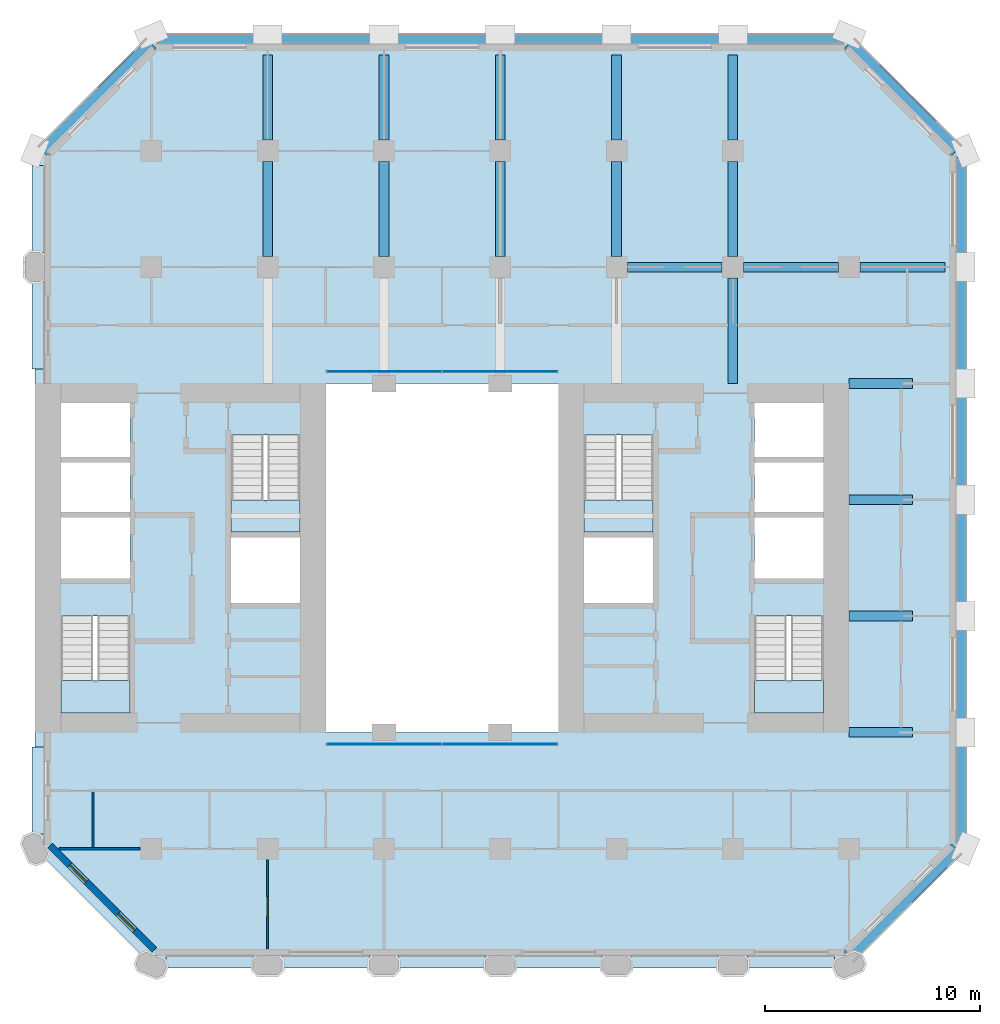
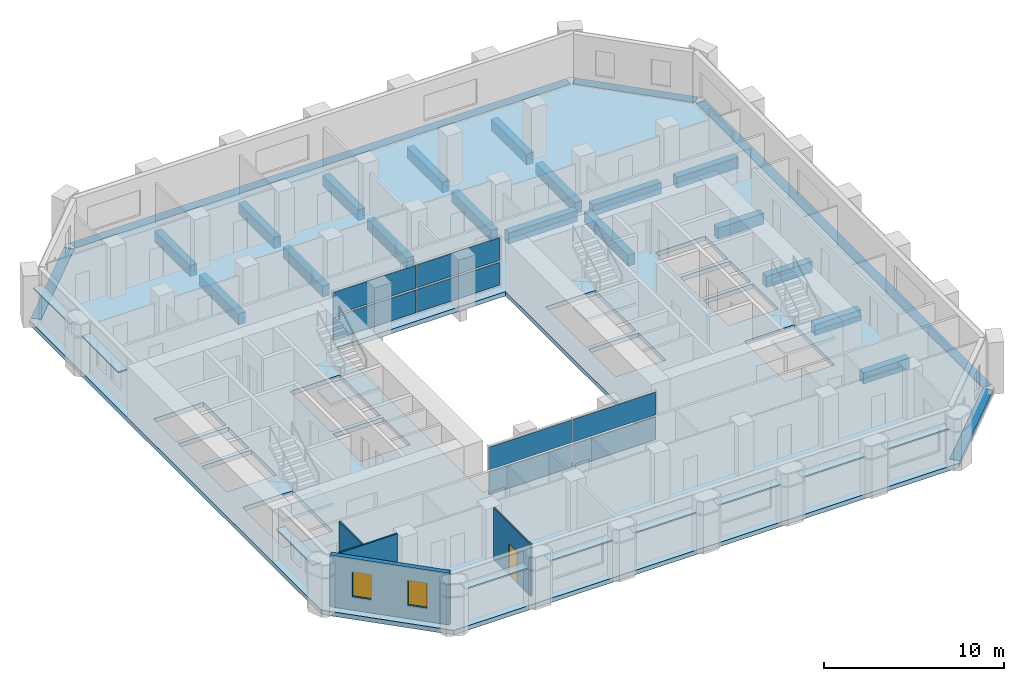
# One storey, part 3 of 11: 23 beams, 17 plates, 5 slabs, 4 walls, 2 windows, 1 door, 3 openings, 6 elements without a shape of their own.
"""IFC4 building model written with IfcOpenShell, lengths in metres."""

from ifc_helpers import new_model, si_unit, direction, frame, frame_2d, origin, origin_2d, place, context, subcontext, project, spatial, polyline, rectangle, outline, extrude, material, layer, layer_set, material_profile, profile_set, type_object, element, fill, aggregate, save


model = new_model("IFC4")

# Units and contexts
model_context = context("Model", 3, precision=1e-05, world=origin(), true_north=direction((0.0, 1.0)))
body_context = subcontext(model_context, "Body", "Model", "MODEL_VIEW")
ifc_project = project(units=[si_unit("LENGTHUNIT", "METRE"), si_unit("AREAUNIT", "SQUARE_METRE"), si_unit("VOLUMEUNIT", "CUBIC_METRE"), si_unit("PLANEANGLEUNIT", "RADIAN"), si_unit("MASSUNIT", "GRAM", prefix="KILO")], contexts=[model_context])

# Site, building, storey
site_placement = place(None, origin())
site = spatial("IfcSite", under=ifc_project, at=site_placement, CompositionType="ELEMENT")
building_placement = place(site_placement, origin())
building = spatial("IfcBuilding", under=site, at=building_placement, Name="Tabaq Tower and Sports Hall", CompositionType="ELEMENT")
storey_placement = place(building_placement, frame((0.0, 0.0, 91.60009765625)))
storey = spatial("IfcBuildingStorey", under=building, at=storey_placement, Name="L21", CompositionType="ELEMENT", Elevation=91.60009765625)

# Beams
ifc_material_1 = material(Name="Concrete C40/50", Category="concrete")
ifc_material_profile_1 = material_profile(ifc_material_1, rectangle(XDim=0.449951171875, YDim=0.75, at=origin_2d()), Name="CB 450x750")
ifc_profile_set_1 = profile_set([ifc_material_profile_1], Name="Concrete C40/50")
beam_type_1 = type_object("IfcBeamType", Name="PT CANTILEVER BEAM CB 450x750 C40/50", PredefinedType="BEAM", material=ifc_profile_set_1)
for number, where, z_axis, x_axis, name in (
    (1, (46.14990234375, 16.199951171875, -0.675048828125), (-1.0, 0.0, 0.0), (0.0, -1.0, 0.0), "Cantilever Beam L21 E3 span 1"),
    (2, (46.14990234375, 21.60009765625, -0.675048828125), (-1.0, 0.0, 0.0), (0.0, -1.0, 0.0), "Cantilever Beam L21 E4 span 1"),
    (3, (46.14990234375, 27.0, -0.675048828125), (-1.0, 0.0, 0.0), (0.0, -1.0, 0.0), "Cantilever Beam L21 E5 span 1"),
    (4, (46.14990234375, 32.39990234375, -0.675048828125), (-1.0, 0.0, 0.0), (0.0, -1.0, 0.0), "Cantilever Beam L21 E6 span 1"),
):
    element("IfcBeam", number, at=place(storey_placement, frame(where, z_axis=z_axis, x_axis=x_axis)), inside=storey, type_object=beam_type_1, Name=name, PredefinedType="BEAM", context=body_context, shape_type="SweptSolid", body=[
        extrude(rectangle(XDim=0.449951171875, YDim=0.75, at=origin_2d()), origin(), (0.0, 0.0, 1.0), 2.949951171875),
    ])
beam_1_placement = place(storey_placement, frame((47.64990234375, 37.800048828125, -0.675048828125), z_axis=(-1.0, 0.0, 0.0), x_axis=(0.0, -1.0, 0.0)))
element("IfcBeam", 5, at=beam_1_placement, inside=storey, type_object=beam_type_1, Name="Cantilever Beam L21 E7 span 1", PredefinedType="BEAM", context=body_context, shape_type="SweptSolid", body=[
    extrude(rectangle(XDim=0.449951171875, YDim=0.75, at=origin_2d()), origin(), (0.0, 0.0, 1.0), 3.949951171875),
])
beam_2_placement = place(storey_placement, frame((42.699951171875, 37.800048828125, -0.675048828125), z_axis=(-1.0, 0.0, 0.0), x_axis=(0.0, -1.0, 0.0)))
element("IfcBeam", 6, at=beam_2_placement, inside=storey, type_object=beam_type_1, Name="Cantilever Beam L21 E7 span 2", PredefinedType="BEAM", context=body_context, shape_type="SweptSolid", body=[
    extrude(rectangle(XDim=0.449951171875, YDim=0.75, at=origin_2d()), origin(), (0.0, 0.0, 1.0), 4.39990234375),
])
beam_3_placement = place(storey_placement, frame((37.300048828125, 37.800048828125, -0.675048828125), z_axis=(-1.0, 0.0, 0.0), x_axis=(0.0, -1.0, 0.0)))
element("IfcBeam", 7, at=beam_3_placement, inside=storey, type_object=beam_type_1, Name="Cantilever Beam L21 E7 span 3", PredefinedType="BEAM", context=body_context, shape_type="SweptSolid", body=[
    extrude(rectangle(XDim=0.449951171875, YDim=0.75, at=origin_2d()), origin(), (0.0, 0.0, 1.0), 4.400146484375),
])
beam_4_placement = place(storey_placement, frame((16.199951171875, 47.64990234375, -0.675048828125), z_axis=(0.0, -1.0, 0.0), x_axis=(1.0, 0.0, 0.0)))
element("IfcBeam", 8, at=beam_4_placement, inside=storey, type_object=beam_type_1, Name="Cantilever Beam L21 N3 span 1", PredefinedType="BEAM", context=body_context, shape_type="SweptSolid", body=[
    extrude(rectangle(XDim=0.449951171875, YDim=0.75, at=origin_2d()), origin(), (0.0, 0.0, 1.0), 3.949951171875),
])
beam_5_placement = place(storey_placement, frame((16.199951171875, 42.699951171875, -0.675048828125), z_axis=(0.0, -1.0, 0.0), x_axis=(1.0, 0.0, 0.0)))
element("IfcBeam", 9, at=beam_5_placement, inside=storey, type_object=beam_type_1, Name="Cantilever Beam L21 N3 span 2", PredefinedType="BEAM", context=body_context, shape_type="SweptSolid", body=[
    extrude(rectangle(XDim=0.449951171875, YDim=0.75, at=origin_2d()), origin(), (0.0, 0.0, 1.0), 4.39990234375),
])
beam_6_placement = place(storey_placement, frame((21.60009765625, 47.64990234375, -0.675048828125), z_axis=(0.0, -1.0, 0.0), x_axis=(1.0, 0.0, 0.0)))
element("IfcBeam", 10, at=beam_6_placement, inside=storey, type_object=beam_type_1, Name="Cantilever Beam L21 N4 span 1", PredefinedType="BEAM", context=body_context, shape_type="SweptSolid", body=[
    extrude(rectangle(XDim=0.449951171875, YDim=0.75, at=origin_2d()), origin(), (0.0, 0.0, 1.0), 3.949951171875),
])
beam_7_placement = place(storey_placement, frame((21.60009765625, 42.699951171875, -0.675048828125), z_axis=(0.0, -1.0, 0.0), x_axis=(1.0, 0.0, 0.0)))
element("IfcBeam", 11, at=beam_7_placement, inside=storey, type_object=beam_type_1, Name="Cantilever Beam L21 N4 span 2", PredefinedType="BEAM", context=body_context, shape_type="SweptSolid", body=[
    extrude(rectangle(XDim=0.449951171875, YDim=0.75, at=origin_2d()), origin(), (0.0, 0.0, 1.0), 4.39990234375),
])
beam_8_placement = place(storey_placement, frame((27.0, 47.64990234375, -0.675048828125), z_axis=(0.0, -1.0, 0.0), x_axis=(1.0, 0.0, 0.0)))
element("IfcBeam", 12, at=beam_8_placement, inside=storey, type_object=beam_type_1, Name="Cantilever Beam L21 N5 span 1", PredefinedType="BEAM", context=body_context, shape_type="SweptSolid", body=[
    extrude(rectangle(XDim=0.449951171875, YDim=0.75, at=origin_2d()), origin(), (0.0, 0.0, 1.0), 3.949951171875),
])
beam_9_placement = place(storey_placement, frame((27.0, 42.699951171875, -0.675048828125), z_axis=(0.0, -1.0, 0.0), x_axis=(1.0, 0.0, 0.0)))
element("IfcBeam", 13, at=beam_9_placement, inside=storey, type_object=beam_type_1, Name="Cantilever Beam L21 N5 span 2", PredefinedType="BEAM", context=body_context, shape_type="SweptSolid", body=[
    extrude(rectangle(XDim=0.449951171875, YDim=0.75, at=origin_2d()), origin(), (0.0, 0.0, 1.0), 4.39990234375),
])
beam_10_placement = place(storey_placement, frame((32.39990234375, 47.64990234375, -0.675048828125), z_axis=(0.0, -1.0, 0.0), x_axis=(1.0, 0.0, 0.0)))
element("IfcBeam", 14, at=beam_10_placement, inside=storey, type_object=beam_type_1, Name="Cantilever Beam L21 N6 span 1", PredefinedType="BEAM", context=body_context, shape_type="SweptSolid", body=[
    extrude(rectangle(XDim=0.449951171875, YDim=0.75, at=origin_2d()), origin(), (0.0, 0.0, 1.0), 3.949951171875),
])
beam_11_placement = place(storey_placement, frame((32.39990234375, 42.699951171875, -0.675048828125), z_axis=(0.0, -1.0, 0.0), x_axis=(1.0, 0.0, 0.0)))
element("IfcBeam", 15, at=beam_11_placement, inside=storey, type_object=beam_type_1, Name="Cantilever Beam L21 N6 span 2", PredefinedType="BEAM", context=body_context, shape_type="SweptSolid", body=[
    extrude(rectangle(XDim=0.449951171875, YDim=0.75, at=origin_2d()), origin(), (0.0, 0.0, 1.0), 4.39990234375),
])
beam_12_placement = place(storey_placement, frame((37.800048828125, 47.64990234375, -0.675048828125), z_axis=(0.0, -1.0, 0.0), x_axis=(1.0, 0.0, 0.0)))
element("IfcBeam", 16, at=beam_12_placement, inside=storey, type_object=beam_type_1, Name="Cantilever Beam L21 N7 span 1", PredefinedType="BEAM", context=body_context, shape_type="SweptSolid", body=[
    extrude(rectangle(XDim=0.449951171875, YDim=0.75, at=origin_2d()), origin(), (0.0, 0.0, 1.0), 3.949951171875),
])
beam_13_placement = place(storey_placement, frame((37.800048828125, 42.699951171875, -0.675048828125), z_axis=(0.0, -1.0, 0.0), x_axis=(1.0, 0.0, 0.0)))
element("IfcBeam", 17, at=beam_13_placement, inside=storey, type_object=beam_type_1, Name="Cantilever Beam L21 N7 span 2", PredefinedType="BEAM", context=body_context, shape_type="SweptSolid", body=[
    extrude(rectangle(XDim=0.449951171875, YDim=0.75, at=origin_2d()), origin(), (0.0, 0.0, 1.0), 4.39990234375),
])
beam_14_placement = place(storey_placement, frame((37.800048828125, 37.300048828125, -0.675048828125), z_axis=(0.0, -1.0, 0.0), x_axis=(1.0, 0.0, 0.0)))
element("IfcBeam", 18, at=beam_14_placement, inside=storey, type_object=beam_type_1, Name="Cantilever Beam L21 N7 span 3", PredefinedType="BEAM", context=body_context, shape_type="SweptSolid", body=[
    extrude(rectangle(XDim=0.449951171875, YDim=0.75, at=origin_2d()), origin(), (0.0, 0.0, 1.0), 4.900146484375),
])
ifc_material_2 = material(Name="Concrete C40/50", Category="concrete")
ifc_material_profile_2 = material_profile(ifc_material_2, rectangle(XDim=0.60009765625, YDim=0.300048828125, at=origin_2d()), Name="EB 600x300")
ifc_profile_set_2 = profile_set([ifc_material_profile_2], Name="Concrete C40/50")
beam_type_2 = type_object("IfcBeamType", Name="PT EDGE BEAM EB 600x300 C40/50", PredefinedType="SPANDREL", material=ifc_profile_set_2)
beam_15_placement = place(storey_placement, frame((43.16455078125, 5.788818359375, -0.150146484375), z_axis=(0.707106781187, 0.707106781187, 0.0), x_axis=(-0.707106781187, 0.707106781187, 0.0)))
element("IfcBeam", 19, at=beam_15_placement, inside=storey, type_object=beam_type_2, Name="Edge Beam L21 1", PredefinedType="SPANDREL", context=body_context, shape_type="SweptSolid", body=[
    extrude(rectangle(XDim=0.60009765625, YDim=0.300048828125, at=origin_2d()), origin(), (0.0, 0.0, 1.0), 7.08837890625),
])
beam_16_placement = place(storey_placement, frame((48.300048828125, 11.0986328125, -0.150146484375), z_axis=(0.0, 1.0, 0.0), x_axis=(-1.0, 0.0, 0.0)))
element("IfcBeam", 20, at=beam_16_placement, inside=storey, type_object=beam_type_2, Name="Edge Beam L21 2", PredefinedType="SPANDREL", context=body_context, shape_type="SweptSolid", body=[
    extrude(rectangle(XDim=0.60009765625, YDim=0.300048828125, at=origin_2d()), origin(), (0.0, 0.0, 1.0), 31.802734375),
])
beam_17_placement = place(storey_placement, frame((48.1767578125, 43.198974609375, -0.150146484375), z_axis=(-0.707106781187, 0.707106781187, 0.0), x_axis=(-0.707106781187, -0.707106781187, 0.0)))
element("IfcBeam", 21, at=beam_17_placement, inside=storey, type_object=beam_type_2, Name="Edge Beam L21 3", PredefinedType="SPANDREL", context=body_context, shape_type="SweptSolid", body=[
    extrude(rectangle(XDim=0.60009765625, YDim=0.300048828125, at=origin_2d()), origin(), (0.0, 0.0, 1.0), 7.03955078125),
])
beam_18_placement = place(storey_placement, frame((42.9013671875, 48.300048828125, -0.150146484375), z_axis=(-1.0, 0.0, 0.0), x_axis=(0.0, -1.0, 0.0)))
element("IfcBeam", 22, at=beam_18_placement, inside=storey, type_object=beam_type_2, Name="Edge Beam L21 4", PredefinedType="SPANDREL", context=body_context, shape_type="SweptSolid", body=[
    extrude(rectangle(XDim=0.60009765625, YDim=0.300048828125, at=origin_2d()), origin(), (0.0, 0.0, 1.0), 31.802734375),
])
beam_19_placement = place(storey_placement, frame((10.801025390625, 48.1767578125, -0.150146484375), z_axis=(-0.707106781187, -0.707106781187, 0.0), x_axis=(0.707106781187, -0.707106781187, 0.0)))
element("IfcBeam", 23, at=beam_19_placement, inside=storey, type_object=beam_type_2, Name="Edge Beam L21 5", PredefinedType="SPANDREL", context=body_context, shape_type="SweptSolid", body=[
    extrude(rectangle(XDim=0.60009765625, YDim=0.300048828125, at=origin_2d()), origin(), (0.0, 0.0, 1.0), 7.08837890625),
])

# Curtain wall, plates
ifc_material_3 = material(Name="Aluminium alloy 6063-T6 framed glazing", Category="aluminium")
curtain_wall_type = type_object("IfcCurtainWallType", Name="CW1 curtain wall", PredefinedType="USERDEFINED", material=ifc_material_3)
curtain_wall_1_placement = place(storey_placement, origin())
curtain_wall_1 = element("IfcCurtainWall", 24, at=curtain_wall_1_placement, inside=storey, type_object=curtain_wall_type, Name="Atrium glazing L21 S", ObjectType="ATRIUM ENCLOSURE", PredefinedType="USERDEFINED")
ifc_material_4 = material(Name="Clear low-emissivity glass 28 mm", Category="glass")
ifc_layer_1 = layer(ifc_material_4, 0.028076171875)
ifc_layer_set_1 = layer_set([ifc_layer_1], Name="CW1 glass panel 28")
plate_type_1 = type_object("IfcPlateType", Name="CW1 glass panel 28", PredefinedType="CURTAIN_PANEL", material=ifc_layer_set_1)
plate_1_placement = place(storey_placement, frame((21.614990234375, 15.64990234375, 0.139892578125), z_axis=(0.0, 0.0, 1.0), x_axis=(1.0, 0.0, 0.0)))
plate_1 = element("IfcPlate", 25, at=plate_1_placement, type_object=plate_type_1, Name="CW1 panel 1.1", PredefinedType="CURTAIN_PANEL", context=body_context, shape_type="SweptSolid", body=[
    extrude(rectangle(XDim=5.31005859375, YDim=0.028076171875, at=origin_2d()), origin(), (0.0, 0.0, 1.0), 1.5400390625),
])
plate_2_placement = place(storey_placement, frame((21.614990234375, 15.64990234375, 1.81982421875), z_axis=(0.0, 0.0, 1.0), x_axis=(1.0, 0.0, 0.0)))
plate_2 = element("IfcPlate", 26, at=plate_2_placement, type_object=plate_type_1, Name="CW1 panel 1.2", PredefinedType="CURTAIN_PANEL", context=body_context, shape_type="SweptSolid", body=[
    extrude(rectangle(XDim=5.31005859375, YDim=0.028076171875, at=origin_2d()), origin(), (0.0, 0.0, 1.0), 1.5400390625),
])
plate_3_placement = place(storey_placement, frame((26.985107421875, 15.64990234375, 0.139892578125), z_axis=(0.0, 0.0, 1.0), x_axis=(1.0, 0.0, 0.0)))
plate_3 = element("IfcPlate", 27, at=plate_3_placement, type_object=plate_type_1, Name="CW1 panel 2.1", PredefinedType="CURTAIN_PANEL", context=body_context, shape_type="SweptSolid", body=[
    extrude(rectangle(XDim=5.31005859375, YDim=0.028076171875, at=origin_2d()), origin(), (0.0, 0.0, 1.0), 1.5400390625),
])
plate_4_placement = place(storey_placement, frame((26.985107421875, 15.64990234375, 1.81982421875), z_axis=(0.0, 0.0, 1.0), x_axis=(1.0, 0.0, 0.0)))
plate_4 = element("IfcPlate", 28, at=plate_4_placement, type_object=plate_type_1, Name="CW1 panel 2.2", PredefinedType="CURTAIN_PANEL", context=body_context, shape_type="SweptSolid", body=[
    extrude(rectangle(XDim=5.31005859375, YDim=0.028076171875, at=origin_2d()), origin(), (0.0, 0.0, 1.0), 1.5400390625),
])
aggregate(curtain_wall_1, [plate_1, plate_2, plate_3, plate_4])

curtain_wall_2_placement = place(storey_placement, origin())
curtain_wall_2 = element("IfcCurtainWall", 29, at=curtain_wall_2_placement, inside=storey, type_object=curtain_wall_type, Name="Atrium glazing L21 N", ObjectType="ATRIUM ENCLOSURE", PredefinedType="USERDEFINED")
plate_5_placement = place(storey_placement, frame((21.614990234375, 32.949951171875, 0.139892578125), z_axis=(0.0, 0.0, 1.0), x_axis=(1.0, 0.0, 0.0)))
plate_5 = element("IfcPlate", 30, at=plate_5_placement, type_object=plate_type_1, Name="CW1 panel 1.1", PredefinedType="CURTAIN_PANEL", context=body_context, shape_type="SweptSolid", body=[
    extrude(rectangle(XDim=5.31005859375, YDim=0.028076171875, at=origin_2d()), origin(), (0.0, 0.0, 1.0), 1.5400390625),
])
plate_6_placement = place(storey_placement, frame((21.614990234375, 32.949951171875, 1.81982421875), z_axis=(0.0, 0.0, 1.0), x_axis=(1.0, 0.0, 0.0)))
plate_6 = element("IfcPlate", 31, at=plate_6_placement, type_object=plate_type_1, Name="CW1 panel 1.2", PredefinedType="CURTAIN_PANEL", context=body_context, shape_type="SweptSolid", body=[
    extrude(rectangle(XDim=5.31005859375, YDim=0.028076171875, at=origin_2d()), origin(), (0.0, 0.0, 1.0), 1.5400390625),
])
plate_7_placement = place(storey_placement, frame((26.985107421875, 32.949951171875, 0.139892578125), z_axis=(0.0, 0.0, 1.0), x_axis=(1.0, 0.0, 0.0)))
plate_7 = element("IfcPlate", 32, at=plate_7_placement, type_object=plate_type_1, Name="CW1 panel 2.1", PredefinedType="CURTAIN_PANEL", context=body_context, shape_type="SweptSolid", body=[
    extrude(rectangle(XDim=5.31005859375, YDim=0.028076171875, at=origin_2d()), origin(), (0.0, 0.0, 1.0), 1.5400390625),
])
plate_8_placement = place(storey_placement, frame((26.985107421875, 32.949951171875, 1.81982421875), z_axis=(0.0, 0.0, 1.0), x_axis=(1.0, 0.0, 0.0)))
plate_8 = element("IfcPlate", 33, at=plate_8_placement, type_object=plate_type_1, Name="CW1 panel 2.2", PredefinedType="CURTAIN_PANEL", context=body_context, shape_type="SweptSolid", body=[
    extrude(rectangle(XDim=5.31005859375, YDim=0.028076171875, at=origin_2d()), origin(), (0.0, 0.0, 1.0), 1.5400390625),
])
aggregate(curtain_wall_2, [plate_5, plate_6, plate_7, plate_8])

# Stair, slab
ifc_material_5 = material(Name="Concrete C40/50", Category="concrete")
stair_type = type_object("IfcStairType", Name="Exit stair", PredefinedType="HALF_TURN_STAIR", material=ifc_material_5)
stair_1_placement = place(storey_placement, origin())
stair_1 = element("IfcStair", 34, at=stair_1_placement, inside=storey, type_object=stair_type, Name="L21 Exit stair ST1", PredefinedType="HALF_TURN_STAIR")
ifc_material_6 = material(Name="Concrete C40/50", Category="concrete")
ifc_layer_2 = layer(ifc_material_6, 0.199951171875)
ifc_layer_set_2 = layer_set([ifc_layer_2], Name="Exit stair landing")
slab_type_1 = type_object("IfcSlabType", Name="Exit stair landing", PredefinedType="LANDING", material=ifc_layer_set_2)
slab_1_placement = place(storey_placement, frame((0.0, 0.0, 1.699951171875)))
slab_1 = element("IfcSlab", 35, at=slab_1_placement, type_object=slab_type_1, Name="ST1 landing 1", PredefinedType="LANDING", context=body_context, shape_type="SweptSolid", body=[
    extrude(outline(polyline([(6.60009765625, 18.60009765625), (6.60009765625, 17.10009765625), (9.800048828125, 17.10009765625), (9.800048828125, 18.60009765625), (6.60009765625, 18.60009765625)])), origin(), (0.0, 0.0, 1.0), 0.199951171875),
])
aggregate(stair_1, [slab_1])

stair_2_placement = place(storey_placement, origin())
stair_2 = element("IfcStair", 36, at=stair_2_placement, inside=storey, type_object=stair_type, Name="L21 Exit stair ST2", PredefinedType="HALF_TURN_STAIR")
slab_2_placement = place(storey_placement, frame((0.0, 0.0, 1.699951171875)))
slab_2 = element("IfcSlab", 37, at=slab_2_placement, type_object=slab_type_1, Name="ST2 landing 1", PredefinedType="LANDING", context=body_context, shape_type="SweptSolid", body=[
    extrude(outline(polyline([(14.5, 27.0), (14.5, 25.5), (17.699951171875, 25.5), (17.699951171875, 27.0), (14.5, 27.0)])), origin(), (0.0, 0.0, 1.0), 0.199951171875),
])
aggregate(stair_2, [slab_2])

stair_3_placement = place(storey_placement, origin())
stair_3 = element("IfcStair", 38, at=stair_3_placement, inside=storey, type_object=stair_type, Name="L21 Exit stair ST3", PredefinedType="HALF_TURN_STAIR")
slab_3_placement = place(storey_placement, frame((0.0, 0.0, 1.699951171875)))
slab_3 = element("IfcSlab", 39, at=slab_3_placement, type_object=slab_type_1, Name="ST3 landing 1", PredefinedType="LANDING", context=body_context, shape_type="SweptSolid", body=[
    extrude(outline(polyline([(38.800048828125, 18.60009765625), (38.800048828125, 17.10009765625), (42.0, 17.10009765625), (42.0, 18.60009765625), (38.800048828125, 18.60009765625)])), origin(), (0.0, 0.0, 1.0), 0.199951171875),
])
aggregate(stair_3, [slab_3])

stair_4_placement = place(storey_placement, origin())
stair_4 = element("IfcStair", 40, at=stair_4_placement, inside=storey, type_object=stair_type, Name="L21 Exit stair ST4", PredefinedType="HALF_TURN_STAIR")
slab_4_placement = place(storey_placement, frame((0.0, 0.0, 1.699951171875)))
slab_4 = element("IfcSlab", 41, at=slab_4_placement, type_object=slab_type_1, Name="ST4 landing 1", PredefinedType="LANDING", context=body_context, shape_type="SweptSolid", body=[
    extrude(outline(polyline([(30.89990234375, 27.0), (30.89990234375, 25.5), (34.10009765625, 25.5), (34.10009765625, 27.0), (30.89990234375, 27.0)])), origin(), (0.0, 0.0, 1.0), 0.199951171875),
])
aggregate(stair_4, [slab_4])

# Slab
ifc_material_7 = material(Name="Concrete C40/50", Category="concrete")
ifc_layer_3 = layer(ifc_material_7, 0.300048828125)
ifc_layer_set_3 = layer_set([ifc_layer_3], Name="PT FLOOR SLAB 300 C40/50")
slab_type_2 = type_object("IfcSlabType", Name="PT FLOOR SLAB 300 C40/50", PredefinedType="FLOOR", material=ifc_layer_set_3)
slab_5_placement = place(storey_placement, frame((0.0, 0.0, -0.300048828125)))
element("IfcSlab", 42, at=slab_5_placement, inside=storey, type_object=slab_type_2, Name="Floor Slab L21", PredefinedType="FLOOR", context=body_context, shape_type="SweptSolid", body=[
    extrude(outline(polyline([(5.39990234375, 43.199951171875), (5.39990234375, 10.800048828125), (10.800048828125, 5.39990234375), (43.199951171875, 5.39990234375), (43.376708984375, 5.57666015625), (42.952392578125, 6.0009765625), (47.964599609375, 11.01318359375), (48.035400390625, 10.9423828125), (48.388916015625, 10.5888671875), (48.60009765625, 10.800048828125), (48.60009765625, 11.0986328125), (48.10009765625, 11.0986328125), (48.0, 11.0986328125), (48.0, 42.9013671875), (48.10009765625, 42.9013671875), (48.60009765625, 42.9013671875), (48.60009765625, 43.199951171875), (48.388916015625, 43.4111328125), (48.035400390625, 43.0576171875), (47.964599609375, 42.98681640625), (42.98681640625, 47.964599609375), (43.0576171875, 48.035400390625), (43.4111328125, 48.388916015625), (43.199951171875, 48.60009765625), (42.9013671875, 48.60009765625), (42.9013671875, 48.10009765625), (42.9013671875, 48.0), (11.0986328125, 48.0), (11.0986328125, 48.10009765625), (11.0986328125, 48.60009765625), (10.800048828125, 48.60009765625), (10.5888671875, 48.388916015625), (10.9423828125, 48.035400390625), (11.01318359375, 47.964599609375), (6.0009765625, 42.952392578125), (5.57666015625, 43.376708984375), (5.39990234375, 43.199951171875)]), holes=[polyline([(6.60009765625, 21.599365234375), (9.800048828125, 21.599365234375), (9.800048828125, 17.10009765625), (6.60009765625, 17.10009765625), (6.60009765625, 21.599365234375)]), polyline([(17.699951171875, 25.25), (17.699951171875, 22.199951171875), (14.5, 22.199951171875), (14.5, 25.25), (17.699951171875, 25.25)]), polyline([(18.89990234375, 32.39990234375), (29.699951171875, 32.39990234375), (29.699951171875, 16.199951171875), (18.89990234375, 16.199951171875), (18.89990234375, 32.39990234375)]), polyline([(6.60009765625, 26.175048828125), (9.800048828125, 26.175048828125), (9.800048828125, 23.35009765625), (6.60009765625, 23.35009765625), (6.60009765625, 26.175048828125)]), polyline([(9.800048828125, 28.72509765625), (9.800048828125, 26.425048828125), (6.60009765625, 26.425048828125), (6.60009765625, 28.72509765625), (9.800048828125, 28.72509765625)]), polyline([(17.699951171875, 29.99951171875), (17.699951171875, 25.5), (14.5, 25.5), (14.5, 29.99951171875), (17.699951171875, 29.99951171875)]), polyline([(6.60009765625, 31.5), (9.800048828125, 31.5), (9.800048828125, 28.97509765625), (6.60009765625, 28.97509765625), (6.60009765625, 31.5)]), polyline([(42.0, 21.599365234375), (42.0, 17.10009765625), (38.800048828125, 17.10009765625), (38.800048828125, 21.599365234375), (42.0, 21.599365234375)]), polyline([(34.10009765625, 25.25), (34.10009765625, 22.199951171875), (30.89990234375, 22.199951171875), (30.89990234375, 25.25), (34.10009765625, 25.25)]), polyline([(42.0, 26.175048828125), (42.0, 23.35009765625), (38.800048828125, 23.35009765625), (38.800048828125, 26.175048828125), (42.0, 26.175048828125)]), polyline([(42.0, 28.72509765625), (42.0, 26.425048828125), (38.800048828125, 26.425048828125), (38.800048828125, 28.72509765625), (42.0, 28.72509765625)]), polyline([(34.10009765625, 29.99951171875), (34.10009765625, 25.5), (30.89990234375, 25.5), (30.89990234375, 29.99951171875), (34.10009765625, 29.99951171875)]), polyline([(42.0, 31.5), (42.0, 28.97509765625), (38.800048828125, 28.97509765625), (38.800048828125, 31.5), (42.0, 31.5)])]), origin(), (0.0, 0.0, 1.0), 0.300048828125),
])

# Plates
ifc_material_8 = material(Name="White precast concrete C60/75 blade", Category="concrete")
ifc_layer_4 = layer(ifc_material_8, 0.10009765625)
ifc_layer_set_4 = layer_set([ifc_layer_4], Name="White precast concrete C60/75 sunshade 100")
plate_type_2 = type_object("IfcPlateType", Name="White precast concrete C60/75 sunshade 100", PredefinedType="USERDEFINED", material=ifc_layer_set_4)
for number, where, z_axis, x_axis, name in (
    (43, (13.5, 5.550048828125, 2.599853515625), (0.0, 0.0, 1.0), (1.0, 0.0, 0.0), "Sunshade L21 S"),
    (44, (18.89990234375, 5.550048828125, 2.599853515625), (0.0, 0.0, 1.0), (1.0, 0.0, 0.0), "Sunshade L21 S"),
    (45, (24.300048828125, 5.550048828125, 2.599853515625), (0.0, 0.0, 1.0), (1.0, 0.0, 0.0), "Sunshade L21 S"),
    (46, (29.699951171875, 5.550048828125, 2.599853515625), (0.0, 0.0, 1.0), (1.0, 0.0, 0.0), "Sunshade L21 S"),
    (47, (35.10009765625, 5.550048828125, 2.599853515625), (0.0, 0.0, 1.0), (1.0, 0.0, 0.0), "Sunshade L21 S"),
    (48, (40.5, 5.550048828125, 2.599853515625), (0.0, 0.0, 1.0), (1.0, 0.0, 0.0), "Sunshade L21 S"),
    (49, (5.550048828125, 40.5, 2.599853515625), (0.0, 0.0, 1.0), (0.0, -1.0, 0.0), "Sunshade L21 W"),
    (50, (5.550048828125, 35.10009765625, 2.599853515625), (0.0, 0.0, 1.0), (0.0, -1.0, 0.0), "Sunshade L21 W"),
    (51, (5.550048828125, 13.5, 2.599853515625), (0.0, 0.0, 1.0), (0.0, -1.0, 0.0), "Sunshade L21 W"),
):
    element("IfcPlate", number, at=place(storey_placement, frame(where, z_axis=z_axis, x_axis=x_axis)), inside=storey, type_object=plate_type_2, Name=name, ObjectType="SUNSHADE", PredefinedType="USERDEFINED", context=body_context, shape_type="SweptSolid", body=[
        extrude(rectangle(XDim=4.050048828125, YDim=0.60009765625, at=origin_2d()), origin(), (0.0, 0.0, 1.0), 0.10009765625),
    ])

# Walls
ifc_material_9 = material(Name="Gypsum board on steel studs", Category="steel")
ifc_layer_5 = layer(ifc_material_9, 0.10009765625)
ifc_layer_set_5 = layer_set([ifc_layer_5], Name="Partition 100 Gypsum board")
wall_type_1 = type_object("IfcWallType", Name="Partition 100 Gypsum board", PredefinedType="PARTITIONING", material=ifc_layer_set_5)
wall_1_placement = place(storey_placement, frame((8.10009765625, 10.85009765625, 0.0), z_axis=(0.0, 0.0, 1.0), x_axis=(0.0, 1.0, 0.0)))
element("IfcWall", 52, at=wall_1_placement, inside=storey, type_object=wall_type_1, Name="Partition wall L21", PredefinedType="PARTITIONING", context=body_context, shape_type="SweptSolid", body=[
    extrude(rectangle(XDim=2.574951171875, YDim=0.10009765625, at=frame_2d((1.28759765625, 0.0))), origin(), (0.0, 0.0, 1.0), 3.5),
])
wall_2_placement = place(storey_placement, frame((6.51220703125, 10.800048828125, 0.0), z_axis=(0.0, 0.0, 1.0), x_axis=(1.0, 0.0, 0.0)))
element("IfcWall", 53, at=wall_2_placement, inside=storey, type_object=wall_type_1, Name="Partition wall L21", PredefinedType="PARTITIONING", context=body_context, shape_type="SweptSolid", body=[
    extrude(rectangle(XDim=3.767822265625, YDim=0.10009765625, at=frame_2d((1.8837890625, 0.0))), origin(), (0.0, 0.0, 1.0), 3.5),
])

# Wall, opening, door
wall_3_placement = place(storey_placement, frame((16.199951171875, 6.15087890625, 0.0), z_axis=(0.0, 0.0, 1.0), x_axis=(0.0, 1.0, 0.0)))
wall_3 = element("IfcWall", 54, at=wall_3_placement, inside=storey, type_object=wall_type_1, Name="Partition wall L21", PredefinedType="PARTITIONING", context=body_context, shape_type="SweptSolid", body=[
    extrude(rectangle(XDim=4.129150390625, YDim=0.10009765625, at=frame_2d((2.064453125, 0.0))), origin(), (0.0, 0.0, 1.0), 3.5),
])
opening_1_placement = place(wall_3_placement, frame((1.4990234375, 0.0, 0.0)))
opening_1 = element("IfcOpeningElement", 55, at=opening_1_placement, cuts=wall_3, Name="Opening L21-019", PredefinedType="OPENING", context=body_context, shape_type="SweptSolid", body=[
    extrude(rectangle(XDim=0.89990234375, YDim=2.10009765625, at=frame_2d((0.449951171875, 1.050048828125))), frame((0.0, 0.050048828125, 0.0), z_axis=(0.0, -1.0, 0.0), x_axis=(1.0, 0.0, 0.0)), (0.0, 0.0, 1.0), 0.10009765625),
])
ifc_material_10 = material(Name="Timber leaf in steel frame", Category="steel")
door_type = type_object("IfcDoorType", Name="Internal door 900 right hand", OperationType="SINGLE_SWING_RIGHT", PredefinedType="DOOR", material=ifc_material_10)
door_placement = place(opening_1_placement, origin())
door = element("IfcDoor", 56, at=door_placement, inside=storey, type_object=door_type, Name="Internal door L21-019", OperationType="SINGLE_SWING_RIGHT", OverallHeight=2.10009765625, OverallWidth=0.89990234375, PredefinedType="DOOR", context=body_context, shape_type="SweptSolid", body=[
    extrude(rectangle(XDim=0.89990234375, YDim=2.10009765625, at=frame_2d((0.449951171875, 1.050048828125))), frame((0.0, 0.02490234375, 0.0), z_axis=(0.0, -1.0, 0.0), x_axis=(1.0, 0.0, 0.0)), (0.0, 0.0, 1.0), 0.050048828125),
])
fill(opening_1, door)

# Wall, openings, windows
ifc_material_11 = material(Name="White precast concrete C60/75", Category="concrete")
ifc_layer_6 = layer(ifc_material_11, 0.300048828125)
ifc_layer_set_6 = layer_set([ifc_layer_6], Name="White precast concrete C60/75 external wall 300")
wall_type_2 = type_object("IfcWallType", Name="White precast concrete C60/75 external wall 300", PredefinedType="SOLIDWALL", material=ifc_layer_set_6)
wall_4_placement = place(storey_placement, frame((6.098876953125, 10.949462890625, 0.0), z_axis=(0.0, 0.0, 1.0), x_axis=(0.707106781187, -0.707106781187, 0.0)))
wall_4 = element("IfcWall", 57, at=wall_4_placement, inside=storey, type_object=wall_type_2, Name="External Wall L21 SW", PredefinedType="SOLIDWALL", context=body_context, shape_type="SweptSolid", body=[
    extrude(rectangle(XDim=6.85986328125, YDim=0.300048828125, at=frame_2d((3.429931640625, 0.0))), origin(), (0.0, 0.0, 1.0), 3.5),
])
opening_2_placement = place(wall_4_placement, frame((1.27978515625, 0.0, 0.89990234375)))
opening_2 = element("IfcOpeningElement", 58, at=opening_2_placement, cuts=wall_4, Name="Opening W1B", PredefinedType="OPENING", context=body_context, shape_type="SweptSolid", body=[
    extrude(rectangle(XDim=1.10009765625, YDim=1.699951171875, at=frame_2d((0.550048828125, 0.85009765625))), frame((0.0, 0.16015625, 0.0), z_axis=(0.0, -1.0, 0.0), x_axis=(1.0, 0.0, 0.0)), (0.0, 0.0, 1.0), 0.320068359375),
])
opening_3_placement = place(wall_4_placement, frame((4.479736328125, 0.0, 0.89990234375)))
opening_3 = element("IfcOpeningElement", 59, at=opening_3_placement, cuts=wall_4, Name="Opening W1B", PredefinedType="OPENING", context=body_context, shape_type="SweptSolid", body=[
    extrude(rectangle(XDim=1.10009765625, YDim=1.699951171875, at=frame_2d((0.550048828125, 0.85009765625))), frame((0.0, 0.16015625, 0.0), z_axis=(0.0, -1.0, 0.0), x_axis=(1.0, 0.0, 0.0)), (0.0, 0.0, 1.0), 0.320068359375),
])
ifc_material_12 = material(Name="Aluminium framed clear glazing", Category="aluminium")
window_type = type_object("IfcWindowType", Name="Window W1B", PartitioningType="SINGLE_PANEL", PredefinedType="WINDOW", material=ifc_material_12)
window_1_placement = place(opening_2_placement, origin())
window_1 = element("IfcWindow", 60, at=window_1_placement, inside=storey, type_object=window_type, Name="Window W1B L21", OverallHeight=1.699951171875, OverallWidth=1.10009765625, PartitioningType="SINGLE_PANEL", PredefinedType="WINDOW", context=body_context, shape_type="SweptSolid", body=[
    extrude(rectangle(XDim=1.10009765625, YDim=1.699951171875, at=frame_2d((0.550048828125, 0.85009765625))), frame((0.0, 0.030029296875, 0.0), z_axis=(0.0, -1.0, 0.0), x_axis=(1.0, 0.0, 0.0)), (0.0, 0.0, 1.0), 0.06005859375),
])
fill(opening_2, window_1)
window_2_placement = place(opening_3_placement, origin())
window_2 = element("IfcWindow", 61, at=window_2_placement, inside=storey, type_object=window_type, Name="Window W1B L21", OverallHeight=1.699951171875, OverallWidth=1.10009765625, PartitioningType="SINGLE_PANEL", PredefinedType="WINDOW", context=body_context, shape_type="SweptSolid", body=[
    extrude(rectangle(XDim=1.10009765625, YDim=1.699951171875, at=frame_2d((0.550048828125, 0.85009765625))), frame((0.0, 0.030029296875, 0.0), z_axis=(0.0, -1.0, 0.0), x_axis=(1.0, 0.0, 0.0)), (0.0, 0.0, 1.0), 0.06005859375),
])
fill(opening_3, window_2)

save(model, "model.ifc")
